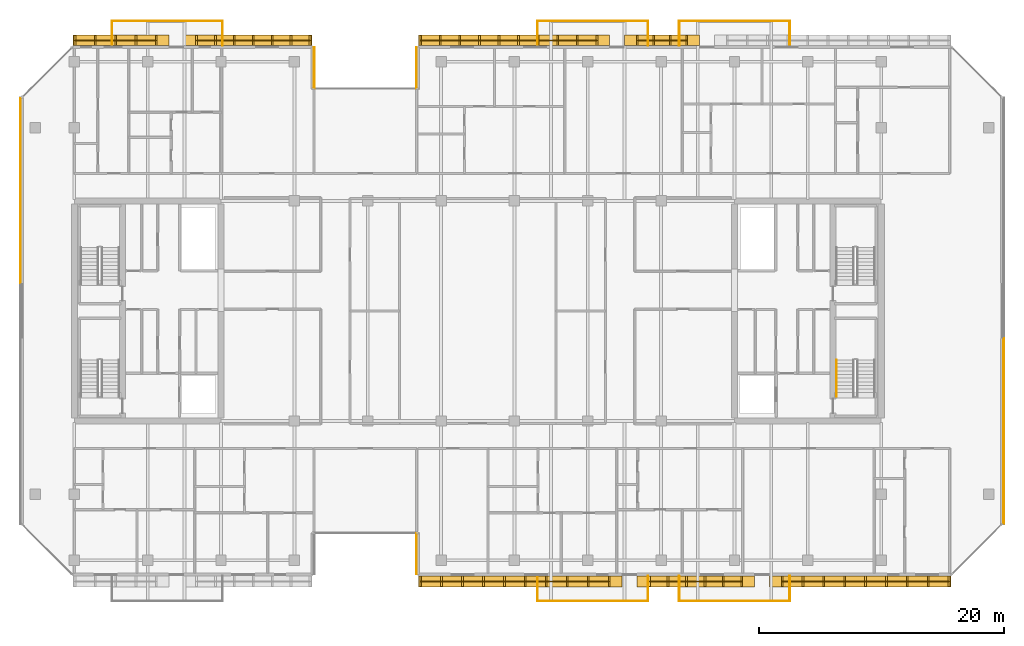
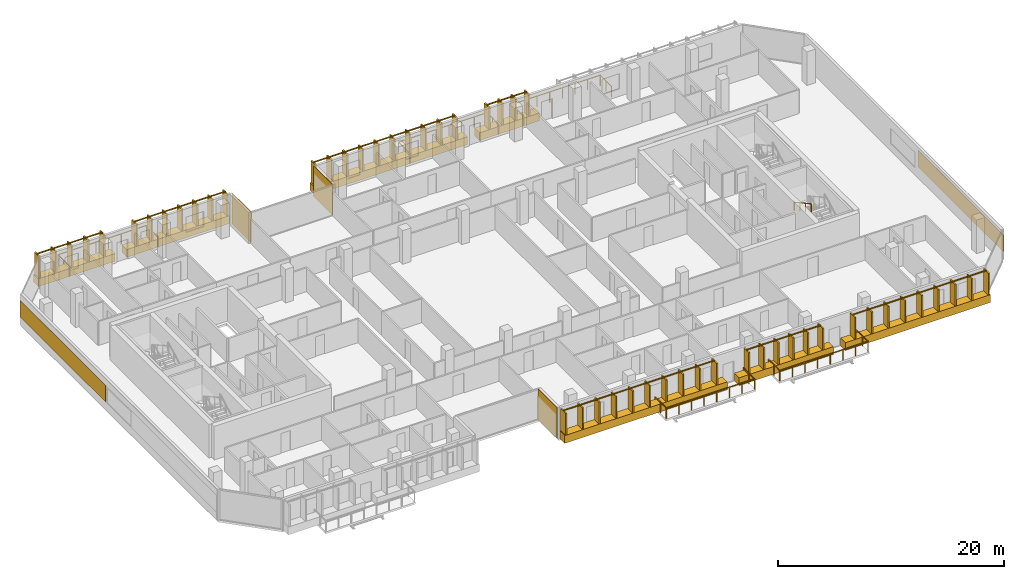
# One storey, part 29 of 31: 13 railings, 12 coverings.
"""IFC4 building model written with IfcOpenShell, lengths in metres."""

import ifcopenshell
import ifcopenshell.guid

model = None  # the IFC model being written
_history = None  # IfcOwnerHistory: only IFC2X3 demands one
_inside = {}  # id of a spatial element -> (the spatial element, [elements in it])
_under = {}  # id of a project, library or spatial element -> (it, [spatial elements below it])
_declared = {}  # id of a project -> (the project, [libraries it declares])
_typed = {}  # id of a type object -> (the type object, [elements of that type])
_made_of = {}  # id of a material, layer set ... -> (it, [elements and type objects made of it])


def new_model(schema):
    """Start an empty IFC model of exactly this schema.

    Asked for "IFC4X3", IfcOpenShell would pick the latest addendum, in which some entities
    have other attributes; the version numbers below select the first issue.
    IFC2X3 requires an IfcOwnerHistory on every rooted entity: one is made here for all.
    """
    global model, _history
    if schema == "IFC4X3":
        model = ifcopenshell.file(schema_version=(4, 3, 0, 0))
    else:
        model = ifcopenshell.file(schema=schema)
    _inside.clear()
    _under.clear()
    _declared.clear()
    _typed.clear()
    _made_of.clear()
    _history = None
    if model.schema == "IFC2X3":
        org = make("IfcOrganization", Name="unknown")
        user = make(
            "IfcPersonAndOrganization",
            ThePerson=make("IfcPerson", FamilyName="unknown"),
            TheOrganization=org,
        )
        app = make(
            "IfcApplication",
            ApplicationDeveloper=org,
            Version="unknown",
            ApplicationFullName="unknown",
            ApplicationIdentifier="unknown",
        )
        _history = make(
            "IfcOwnerHistory",
            OwningUser=user,
            OwningApplication=app,
            ChangeAction="ADDED",
            CreationDate=0,
        )
    return model


def make(cls, **values):
    """One entity of the class cls with the attributes given. An attribute that is None is left unset."""
    return model.create_entity(
        cls, **{name: value for name, value in values.items() if value is not None}
    )


def rooted(cls, **values):
    """An entity with a GlobalId (a new one), such as an element, a storey or a relation."""
    return make(cls, GlobalId=ifcopenshell.guid.new(), OwnerHistory=_history, **values)


def si_unit(unit_type, name, prefix=None):
    """IfcSIUnit, for example si_unit("LENGTHUNIT", "METRE", prefix="MILLI")."""
    return make("IfcSIUnit", UnitType=unit_type, Prefix=prefix, Name=name)


def assignment(units):
    """IfcUnitAssignment: the units of a project."""
    return None if units is None else make("IfcUnitAssignment", Units=units)


def point(xyz):
    """IfcCartesianPoint."""
    return None if xyz is None else make("IfcCartesianPoint", Coordinates=xyz)


def direction(xyz):
    """IfcDirection."""
    return None if xyz is None else make("IfcDirection", DirectionRatios=xyz)


def frame(location, z_axis=None, x_axis=None):
    """IfcAxis2Placement3D, a coordinate frame: its origin and axes. An axis left out is left unset."""
    return make(
        "IfcAxis2Placement3D",
        Location=point(location),
        Axis=direction(z_axis),
        RefDirection=direction(x_axis),
    )


def frame_2d(location, x_axis=None):
    """IfcAxis2Placement2D, a coordinate frame in the plane: its origin and x axis."""
    return make(
        "IfcAxis2Placement2D", Location=point(location), RefDirection=direction(x_axis)
    )


def origin():
    """The frame at (0, 0, 0) with its axes left unset."""
    return frame((0.0, 0.0, 0.0))


def origin_2d():
    """The frame at (0, 0) in the plane with its x axis left unset."""
    return frame_2d((0.0, 0.0))


def place(relative_to, where):
    """IfcLocalPlacement: puts the frame where relative to a parent placement (None: the world)."""
    return make(
        "IfcLocalPlacement", PlacementRelTo=relative_to, RelativePlacement=where
    )


def context(
    kind, dimensions, precision=None, world=None, true_north=None, identifier=None
):
    """IfcGeometricRepresentationContext, for example the 3D "Model" context."""
    return make(
        "IfcGeometricRepresentationContext",
        ContextIdentifier=identifier,
        ContextType=kind,
        CoordinateSpaceDimension=dimensions,
        Precision=precision,
        WorldCoordinateSystem=world,
        TrueNorth=true_north,
    )


def subcontext(parent, identifier, kind, view, scale=None):
    """IfcGeometricRepresentationSubContext, for example "Body" below "Model"."""
    return make(
        "IfcGeometricRepresentationSubContext",
        ContextIdentifier=identifier,
        ContextType=kind,
        ParentContext=parent,
        TargetScale=scale,
        TargetView=view,
    )


def project(units=None, contexts=None):
    """IfcProject with its units and contexts."""
    return rooted(
        "IfcProject",
        Name="project",
        RepresentationContexts=contexts,
        UnitsInContext=assignment(units),
    )


def spatial(cls, under=None, at=None, **own):
    """A site, building, storey or space (cls), placed at a placement, below another one or the project."""
    s = rooted(cls, ObjectPlacement=at, **own)
    if under is not None:
        _under.setdefault(under.id(), (under, []))[1].append(s)
    return s


def profile(cls, at=None, kind="AREA", **sizes):
    """A parametric profile (cls). Its sizes go by their IFC names, for example OverallWidth=200.0."""
    return make(cls, ProfileType=kind, Position=at, **sizes)


def rectangle(**sizes):
    """IfcRectangleProfileDef."""
    return profile("IfcRectangleProfileDef", **sizes)


def extrude(swept, where, along, depth):
    """IfcExtrudedAreaSolid: the profile swept, set in the frame where, extruded along a direction by depth."""
    return make(
        "IfcExtrudedAreaSolid",
        SweptArea=swept,
        Position=where,
        ExtrudedDirection=direction(along),
        Depth=depth,
    )


def shape(context_of_items, identifier, shape_type, items):
    """IfcShapeRepresentation: the items that make up one representation, for example the "Body"."""
    return make(
        "IfcShapeRepresentation",
        ContextOfItems=context_of_items,
        RepresentationIdentifier=identifier,
        RepresentationType=shape_type,
        Items=items,
    )


def material(Name=None, Category=None):
    """IfcMaterial."""
    return make("IfcMaterial", Name=Name, Category=Category)


def layer(
    of_material, thickness, ventilated=None, Name=None, Category=None, Priority=None
):
    """IfcMaterialLayer: one layer of a wall or slab, of a material (None: an air gap)."""
    return make(
        "IfcMaterialLayer",
        Material=of_material,
        LayerThickness=thickness,
        IsVentilated=ventilated,
        Name=Name,
        Category=Category,
        Priority=Priority,
    )


def layer_set(layers, Name=None):
    """IfcMaterialLayerSet."""
    return make("IfcMaterialLayerSet", MaterialLayers=layers, LayerSetName=Name)


def made_of(thing, what):
    """Note that an element or type object is made of a material, layer set ...; save() writes the relation."""
    if what is not None:
        _made_of.setdefault(what.id(), (what, []))[1].append(thing)
    return thing


def type_object(cls, material=None, **own):
    """A type object (cls), such as IfcWallType, which elements share."""
    return made_of(rooted(cls, **own), material)


def element(
    cls,
    number,
    at=None,
    inside=None,
    cuts=None,
    type_object=None,
    material=None,
    context=None,
    identifier="Body",
    shape_type=None,
    held_by="IfcProductDefinitionShape",
    body=None,
    shapes=None,
    **own,
):
    """One element of the class cls, such as IfcWall. Its Tag is "e" and its number.

    at: its placement. inside: the storey or other place that contains it. cuts: it is an
    opening in that element (IfcRelVoidsElement). A single representation is given by context,
    identifier, shape_type and body (its items); several are given by shapes. held_by: the class
    of the entity that holds the representations. save() writes the other relations.
    """
    e = rooted(cls, Tag="e%d" % number, ObjectPlacement=at, **own)
    if body is not None:
        shapes = [shape(context, identifier, shape_type, body)]
    if shapes is not None:
        e.Representation = make(held_by, Representations=shapes)
    if inside is not None:
        _inside.setdefault(inside.id(), (inside, []))[1].append(e)
    if cuts is not None:
        rooted(
            "IfcRelVoidsElement", RelatingBuildingElement=cuts, RelatedOpeningElement=e
        )
    if type_object is not None:
        _typed.setdefault(type_object.id(), (type_object, []))[1].append(e)
    return made_of(e, material)


def aggregate(whole, parts):
    """IfcRelAggregates: a whole, such as a stair, and the parts it consists of."""
    return rooted("IfcRelAggregates", RelatingObject=whole, RelatedObjects=parts)


def save(model, path):
    """Write the relations noted so far, then the file.

    IfcRelAggregates (storeys below a building ...), IfcRelContainedInSpatialStructure (elements
    in a storey), IfcRelDefinesByType, IfcRelAssociatesMaterial and IfcRelDeclares: one each for
    every whole, place, type object, material and project.
    """
    for whole, parts in _under.values():
        aggregate(whole, parts)
    for where, things in _inside.values():
        rooted(
            "IfcRelContainedInSpatialStructure",
            RelatedElements=things,
            RelatingStructure=where,
        )
    for kind, things in _typed.values():
        rooted("IfcRelDefinesByType", RelatedObjects=things, RelatingType=kind)
    for what, things in _made_of.values():
        rooted("IfcRelAssociatesMaterial", RelatedObjects=things, RelatingMaterial=what)
    for by, libraries in _declared.values():
        rooted("IfcRelDeclares", RelatingContext=by, RelatedDefinitions=libraries)
    model.write(path)


model = new_model("IFC4")

# Units and contexts
model_context = context("Model", 3, precision=1e-05, world=origin(), true_north=direction((0.0, 1.0)))
body_context = subcontext(model_context, "Body", "Model", "MODEL_VIEW")
ifc_project = project(units=[si_unit("LENGTHUNIT", "METRE"), si_unit("AREAUNIT", "SQUARE_METRE"), si_unit("VOLUMEUNIT", "CUBIC_METRE"), si_unit("PLANEANGLEUNIT", "RADIAN"), si_unit("MASSUNIT", "GRAM", prefix="KILO")], contexts=[model_context])

# Site, building, storey
site_placement = place(None, origin())
site = spatial("IfcSite", under=ifc_project, at=site_placement, CompositionType="ELEMENT")
building_placement = place(site_placement, origin())
building = spatial("IfcBuilding", under=site, at=building_placement, Name="Tanjung Sevakor Pilgrim Tower", CompositionType="ELEMENT")
storey_placement = place(building_placement, frame((0.0, 0.0, 169.2900390625)))
storey = spatial("IfcBuildingStorey", under=building, at=storey_placement, Name="L47", CompositionType="ELEMENT", Elevation=169.2900390625)

# Coverings
ifc_material_1 = material(Name="Reconstructed Limestone Cladding", Category="masonry")
ifc_layer = layer(ifc_material_1, 0.044921875)
ifc_layer_set = layer_set([ifc_layer], Name="COV-CLAD-LIMESTONE")
covering_type = type_object("IfcCoveringType", Name="COV-CLAD-LIMESTONE", PredefinedType="CLADDING", material=ifc_layer_set)
covering_1_placement = place(storey_placement, frame((51.9775390625, 13.72509765625, 0.02001953125), z_axis=(0.0, 0.0, 1.0), x_axis=(0.0, -1.0, 0.0)))
element("IfcCovering", 1, at=covering_1_placement, inside=storey, type_object=covering_type, Name="L47 Warm Limestone Wall Cladding EW-L47-MAIN-4", PredefinedType="CLADDING", context=body_context, shape_type="SweptSolid", body=[
    extrude(rectangle(XDim=3.360107421875, YDim=0.044921875, at=origin_2d()), origin(), (0.0, 0.0, 1.0), 3.31005859375),
])
covering_2_placement = place(storey_placement, frame((60.4775390625, 11.469970703125, 0.009765625), z_axis=(0.0, 0.0, 1.0), x_axis=(1.0, 0.0, 0.0)))
element("IfcCovering", 2, at=covering_2_placement, inside=storey, type_object=covering_type, Name="L47 Warm Limestone Sill Spandrel EW-L47-MAIN-5-1", PredefinedType="CLADDING", context=body_context, shape_type="SweptSolid", body=[
    extrude(rectangle(XDim=16.625, YDim=0.860107421875, at=origin_2d()), origin(), (0.0, 0.0, 1.0), 0.840087890625),
])
covering_3_placement = place(storey_placement, frame((74.824951171875, 11.469970703125, 0.009765625), z_axis=(0.0, 0.0, 1.0), x_axis=(1.0, 0.0, 0.0)))
element("IfcCovering", 3, at=covering_3_placement, inside=storey, type_object=covering_type, Name="L47 Warm Limestone Sill Spandrel EW-L47-MAIN-5-2", PredefinedType="CLADDING", context=body_context, shape_type="SweptSolid", body=[
    extrude(rectangle(XDim=9.6298828125, YDim=0.860107421875, at=origin_2d()), origin(), (0.0, 0.0, 1.0), 0.840087890625),
])
covering_4_placement = place(storey_placement, frame((88.2841796875, 11.469970703125, 0.009765625), z_axis=(0.0, 0.0, 1.0), x_axis=(1.0, 0.0, 0.0)))
element("IfcCovering", 4, at=covering_4_placement, inside=storey, type_object=covering_type, Name="L47 Warm Limestone Sill Spandrel EW-L47-MAIN-5-3", PredefinedType="CLADDING", context=body_context, shape_type="SweptSolid", body=[
    extrude(rectangle(XDim=14.84814453125, YDim=0.860107421875, at=origin_2d()), origin(), (0.0, 0.0, 1.0), 0.840087890625),
])
covering_5_placement = place(storey_placement, frame((100.0224609375, 23.77099609375, 0.849853515625), z_axis=(0.0, 0.0, 1.0), x_axis=(0.0, 1.0, 0.0)))
element("IfcCovering", 5, at=covering_5_placement, inside=storey, type_object=covering_type, Name="L47 Warm Limestone Pier Panel EW-L47-MAIN-7-1", PredefinedType="CLADDING", context=body_context, shape_type="SweptSolid", body=[
    extrude(rectangle(XDim=15.158203125, YDim=0.044921875, at=origin_2d()), origin(), (0.0, 0.0, 1.0), 1.81005859375),
])
covering_6_placement = place(storey_placement, frame((72.074951171875, 55.72998046875, 0.009765625), z_axis=(0.0, 0.0, 1.0), x_axis=(-1.0, 0.0, 0.0)))
element("IfcCovering", 6, at=covering_6_placement, inside=storey, type_object=covering_type, Name="L47 Warm Limestone Sill Spandrel EW-L47-MAIN-9-2", PredefinedType="CLADDING", context=body_context, shape_type="SweptSolid", body=[
    extrude(rectangle(XDim=6.1298828125, YDim=0.860107421875, at=origin_2d()), origin(), (0.0, 0.0, 1.0), 0.840087890625),
])
covering_7_placement = place(storey_placement, frame((59.9775390625, 55.72998046875, 0.009765625), z_axis=(0.0, 0.0, 1.0), x_axis=(-1.0, 0.0, 0.0)))
element("IfcCovering", 7, at=covering_7_placement, inside=storey, type_object=covering_type, Name="L47 Warm Limestone Sill Spandrel EW-L47-MAIN-9-3", PredefinedType="CLADDING", context=body_context, shape_type="SweptSolid", body=[
    extrude(rectangle(XDim=15.625, YDim=0.860107421875, at=origin_2d()), origin(), (0.0, 0.0, 1.0), 0.840087890625),
])
for number, where, z_axis, x_axis, name in (
    (8, (51.9775390625, 53.47509765625, 0.02001953125), (0.0, 0.0, 1.0), (0.0, -1.0, 0.0), "L47 Warm Limestone Wall Cladding EW-L47-MAIN-10"),
    (9, (43.62255859375, 53.47509765625, 0.02001953125), (0.0, 0.0, 1.0), (0.0, 1.0, 0.0), "L47 Warm Limestone Wall Cladding EW-L47-MAIN-12"),
):
    element("IfcCovering", number, at=place(storey_placement, frame(where, z_axis=z_axis, x_axis=x_axis)), inside=storey, type_object=covering_type, Name=name, PredefinedType="CLADDING", context=body_context, shape_type="SweptSolid", body=[
        extrude(rectangle(XDim=3.360107421875, YDim=0.044921875, at=origin_2d()), origin(), (0.0, 0.0, 1.0), 3.31005859375),
    ])
covering_8_placement = place(storey_placement, frame((38.197509765625, 55.72998046875, 0.009765625), z_axis=(0.0, 0.0, 1.0), x_axis=(-1.0, 0.0, 0.0)))
element("IfcCovering", 10, at=covering_8_placement, inside=storey, type_object=covering_type, Name="L47 Warm Limestone Sill Spandrel EW-L47-MAIN-13-1", PredefinedType="CLADDING", context=body_context, shape_type="SweptSolid", body=[
    extrude(rectangle(XDim=10.47509765625, YDim=0.860107421875, at=origin_2d()), origin(), (0.0, 0.0, 1.0), 0.840087890625),
])
covering_9_placement = place(storey_placement, frame((27.81591796875, 55.72998046875, 0.009765625), z_axis=(0.0, 0.0, 1.0), x_axis=(-1.0, 0.0, 0.0)))
element("IfcCovering", 11, at=covering_9_placement, inside=storey, type_object=covering_type, Name="L47 Warm Limestone Sill Spandrel EW-L47-MAIN-13-2", PredefinedType="CLADDING", context=body_context, shape_type="SweptSolid", body=[
    extrude(rectangle(XDim=7.84814453125, YDim=0.860107421875, at=origin_2d()), origin(), (0.0, 0.0, 1.0), 0.840087890625),
])
covering_10_placement = place(storey_placement, frame((19.577392578125, 43.42919921875, 0.849853515625), z_axis=(0.0, 0.0, 1.0), x_axis=(0.0, -1.0, 0.0)))
element("IfcCovering", 12, at=covering_10_placement, inside=storey, type_object=covering_type, Name="L47 Warm Limestone Pier Panel EW-L47-MAIN-15-1", PredefinedType="CLADDING", context=body_context, shape_type="SweptSolid", body=[
    extrude(rectangle(XDim=15.158203125, YDim=0.044921875, at=origin_2d()), origin(), (0.0, 0.0, 1.0), 1.81005859375),
])

# Railings
ifc_material_2 = material(Name="Laminated Glass and Aluminium", Category="aluminium")
railing_type_1 = type_object("IfcRailingType", Name="RL-BAL-BALUST", PredefinedType="BALUSTRADE", material=ifc_material_2)
railing_1_placement = place(storey_placement, frame((27.080078125, 55.300048828125, 0.0)))
element("IfcRailing", 13, at=railing_1_placement, inside=storey, type_object=railing_type_1, Name="L47 Loggia Balustrade MAIN-N1", PredefinedType="BALUSTRADE", context=body_context, shape_type="SweptSolid", body=[
    extrude(rectangle(XDim=0.0479, YDim=0.0479), frame((0.0, 0.0, 1.1259765625), z_axis=(0.0, 1.0, 0.0), x_axis=(-1.0, 0.0, 0.0)), (0.0, 0.0, 1.0), 2.02001953125),
    extrude(rectangle(XDim=0.0479, YDim=0.0479), frame((0.0, 2.02001953125, 1.1259765625), z_axis=(1.0, 0.0, 0.0), x_axis=(0.0, 1.0, 0.0)), (0.0, 0.0, 1.0), 9.0400390625),
    extrude(rectangle(XDim=0.0479, YDim=0.0479), frame((9.0400390625, 2.02001953125, 1.1259765625), z_axis=(0.0, -1.0, 0.0), x_axis=(1.0, 0.0, 0.0)), (0.0, 0.0, 1.0), 2.02001953125),
    extrude(rectangle(XDim=0.042, YDim=0.042), origin(), (0.0, 0.0, 1.0), 1.101806640625),
    extrude(rectangle(XDim=0.042, YDim=0.042), frame((0.0, 1.010009765625, 0.0)), (0.0, 0.0, 1.0), 1.101806640625),
    extrude(rectangle(XDim=0.042, YDim=0.042), frame((0.0, 2.02001953125, 0.0)), (0.0, 0.0, 1.0), 1.101806640625),
    extrude(rectangle(XDim=0.042, YDim=0.042), frame((1.29150390625, 2.02001953125, 0.0)), (0.0, 0.0, 1.0), 1.101806640625),
    extrude(rectangle(XDim=0.042, YDim=0.042), frame((2.582763671875, 2.02001953125, 0.0)), (0.0, 0.0, 1.0), 1.101806640625),
    extrude(rectangle(XDim=0.042, YDim=0.042), frame((3.874267578125, 2.02001953125, 0.0)), (0.0, 0.0, 1.0), 1.101806640625),
    extrude(rectangle(XDim=0.042, YDim=0.042), frame((5.165771484375, 2.02001953125, 0.0)), (0.0, 0.0, 1.0), 1.101806640625),
    extrude(rectangle(XDim=0.042, YDim=0.042), frame((6.457275390625, 2.02001953125, 0.0)), (0.0, 0.0, 1.0), 1.101806640625),
    extrude(rectangle(XDim=0.042, YDim=0.042), frame((7.74853515625, 2.02001953125, 0.0)), (0.0, 0.0, 1.0), 1.101806640625),
    extrude(rectangle(XDim=0.042, YDim=0.042), frame((9.0400390625, 2.02001953125, 0.0)), (0.0, 0.0, 1.0), 1.101806640625),
    extrude(rectangle(XDim=0.042, YDim=0.042), frame((9.0400390625, 1.010009765625, 0.0)), (0.0, 0.0, 1.0), 1.101806640625),
    extrude(rectangle(XDim=0.042, YDim=0.042), frame((9.0400390625, 0.0, 0.0)), (0.0, 0.0, 1.0), 1.101806640625),
])
railing_2_placement = place(storey_placement, frame((61.8798828125, 11.89990234375, 0.0)))
element("IfcRailing", 14, at=railing_2_placement, inside=storey, type_object=railing_type_1, Name="L47 Loggia Balustrade MAIN-S2", PredefinedType="BALUSTRADE", context=body_context, shape_type="SweptSolid", body=[
    extrude(rectangle(XDim=0.0479, YDim=0.0479), frame((0.0, 0.0, 1.1259765625), z_axis=(0.0, -1.0, 0.0), x_axis=(1.0, 0.0, 0.0)), (0.0, 0.0, 1.0), 2.02001953125),
    extrude(rectangle(XDim=0.0479, YDim=0.0479), frame((0.0, -2.02001953125, 1.1259765625), z_axis=(1.0, 0.0, 0.0), x_axis=(0.0, 1.0, 0.0)), (0.0, 0.0, 1.0), 9.0400390625),
    extrude(rectangle(XDim=0.0479, YDim=0.0479), frame((9.0400390625, -2.02001953125, 1.1259765625), z_axis=(0.0, 1.0, 0.0), x_axis=(-1.0, 0.0, 0.0)), (0.0, 0.0, 1.0), 2.02001953125),
    extrude(rectangle(XDim=0.042, YDim=0.042), origin(), (0.0, 0.0, 1.0), 1.101806640625),
    extrude(rectangle(XDim=0.042, YDim=0.042), frame((0.0, -1.010009765625, 0.0)), (0.0, 0.0, 1.0), 1.101806640625),
    extrude(rectangle(XDim=0.042, YDim=0.042), frame((0.0, -2.02001953125, 0.0)), (0.0, 0.0, 1.0), 1.101806640625),
    extrude(rectangle(XDim=0.042, YDim=0.042), frame((1.29150390625, -2.02001953125, 0.0)), (0.0, 0.0, 1.0), 1.101806640625),
    extrude(rectangle(XDim=0.042, YDim=0.042), frame((2.582763671875, -2.02001953125, 0.0)), (0.0, 0.0, 1.0), 1.101806640625),
    extrude(rectangle(XDim=0.042, YDim=0.042), frame((3.874267578125, -2.02001953125, 0.0)), (0.0, 0.0, 1.0), 1.101806640625),
    extrude(rectangle(XDim=0.042, YDim=0.042), frame((5.165771484375, -2.02001953125, 0.0)), (0.0, 0.0, 1.0), 1.101806640625),
    extrude(rectangle(XDim=0.042, YDim=0.042), frame((6.457275390625, -2.02001953125, 0.0)), (0.0, 0.0, 1.0), 1.101806640625),
    extrude(rectangle(XDim=0.042, YDim=0.042), frame((7.74853515625, -2.02001953125, 0.0)), (0.0, 0.0, 1.0), 1.101806640625),
    extrude(rectangle(XDim=0.042, YDim=0.042), frame((9.0400390625, -2.02001953125, 0.0)), (0.0, 0.0, 1.0), 1.101806640625),
    extrude(rectangle(XDim=0.042, YDim=0.042), frame((9.0400390625, -1.010009765625, 0.0)), (0.0, 0.0, 1.0), 1.101806640625),
    extrude(rectangle(XDim=0.042, YDim=0.042), frame((9.0400390625, 0.0, 0.0)), (0.0, 0.0, 1.0), 1.101806640625),
])
railing_3_placement = place(storey_placement, frame((61.8798828125, 55.300048828125, 0.0)))
element("IfcRailing", 15, at=railing_3_placement, inside=storey, type_object=railing_type_1, Name="L47 Loggia Balustrade MAIN-N2", PredefinedType="BALUSTRADE", context=body_context, shape_type="SweptSolid", body=[
    extrude(rectangle(XDim=0.0479, YDim=0.0479), frame((0.0, 0.0, 1.1259765625), z_axis=(0.0, 1.0, 0.0), x_axis=(-1.0, 0.0, 0.0)), (0.0, 0.0, 1.0), 2.02001953125),
    extrude(rectangle(XDim=0.0479, YDim=0.0479), frame((0.0, 2.02001953125, 1.1259765625), z_axis=(1.0, 0.0, 0.0), x_axis=(0.0, 1.0, 0.0)), (0.0, 0.0, 1.0), 9.0400390625),
    extrude(rectangle(XDim=0.0479, YDim=0.0479), frame((9.0400390625, 2.02001953125, 1.1259765625), z_axis=(0.0, -1.0, 0.0), x_axis=(1.0, 0.0, 0.0)), (0.0, 0.0, 1.0), 2.02001953125),
    extrude(rectangle(XDim=0.042, YDim=0.042), origin(), (0.0, 0.0, 1.0), 1.101806640625),
    extrude(rectangle(XDim=0.042, YDim=0.042), frame((0.0, 1.010009765625, 0.0)), (0.0, 0.0, 1.0), 1.101806640625),
    extrude(rectangle(XDim=0.042, YDim=0.042), frame((0.0, 2.02001953125, 0.0)), (0.0, 0.0, 1.0), 1.101806640625),
    extrude(rectangle(XDim=0.042, YDim=0.042), frame((1.29150390625, 2.02001953125, 0.0)), (0.0, 0.0, 1.0), 1.101806640625),
    extrude(rectangle(XDim=0.042, YDim=0.042), frame((2.582763671875, 2.02001953125, 0.0)), (0.0, 0.0, 1.0), 1.101806640625),
    extrude(rectangle(XDim=0.042, YDim=0.042), frame((3.874267578125, 2.02001953125, 0.0)), (0.0, 0.0, 1.0), 1.101806640625),
    extrude(rectangle(XDim=0.042, YDim=0.042), frame((5.165771484375, 2.02001953125, 0.0)), (0.0, 0.0, 1.0), 1.101806640625),
    extrude(rectangle(XDim=0.042, YDim=0.042), frame((6.457275390625, 2.02001953125, 0.0)), (0.0, 0.0, 1.0), 1.101806640625),
    extrude(rectangle(XDim=0.042, YDim=0.042), frame((7.74853515625, 2.02001953125, 0.0)), (0.0, 0.0, 1.0), 1.101806640625),
    extrude(rectangle(XDim=0.042, YDim=0.042), frame((9.0400390625, 2.02001953125, 0.0)), (0.0, 0.0, 1.0), 1.101806640625),
    extrude(rectangle(XDim=0.042, YDim=0.042), frame((9.0400390625, 1.010009765625, 0.0)), (0.0, 0.0, 1.0), 1.101806640625),
    extrude(rectangle(XDim=0.042, YDim=0.042), frame((9.0400390625, 0.0, 0.0)), (0.0, 0.0, 1.0), 1.101806640625),
])
railing_4_placement = place(storey_placement, frame((73.47998046875, 11.89990234375, 0.0)))
element("IfcRailing", 16, at=railing_4_placement, inside=storey, type_object=railing_type_1, Name="L47 Loggia Balustrade MAIN-S3", PredefinedType="BALUSTRADE", context=body_context, shape_type="SweptSolid", body=[
    extrude(rectangle(XDim=0.0479, YDim=0.0479), frame((0.0, 0.0, 1.1259765625), z_axis=(0.0, -1.0, 0.0), x_axis=(1.0, 0.0, 0.0)), (0.0, 0.0, 1.0), 2.02001953125),
    extrude(rectangle(XDim=0.0479, YDim=0.0479), frame((0.0, -2.02001953125, 1.1259765625), z_axis=(1.0, 0.0, 0.0), x_axis=(0.0, 1.0, 0.0)), (0.0, 0.0, 1.0), 9.0400390625),
    extrude(rectangle(XDim=0.0479, YDim=0.0479), frame((9.0400390625, -2.02001953125, 1.1259765625), z_axis=(0.0, 1.0, 0.0), x_axis=(-1.0, 0.0, 0.0)), (0.0, 0.0, 1.0), 2.02001953125),
    extrude(rectangle(XDim=0.042, YDim=0.042), origin(), (0.0, 0.0, 1.0), 1.101806640625),
    extrude(rectangle(XDim=0.042, YDim=0.042), frame((0.0, -1.010009765625, 0.0)), (0.0, 0.0, 1.0), 1.101806640625),
    extrude(rectangle(XDim=0.042, YDim=0.042), frame((0.0, -2.02001953125, 0.0)), (0.0, 0.0, 1.0), 1.101806640625),
    extrude(rectangle(XDim=0.042, YDim=0.042), frame((1.29150390625, -2.02001953125, 0.0)), (0.0, 0.0, 1.0), 1.101806640625),
    extrude(rectangle(XDim=0.042, YDim=0.042), frame((2.582763671875, -2.02001953125, 0.0)), (0.0, 0.0, 1.0), 1.101806640625),
    extrude(rectangle(XDim=0.042, YDim=0.042), frame((3.874267578125, -2.02001953125, 0.0)), (0.0, 0.0, 1.0), 1.101806640625),
    extrude(rectangle(XDim=0.042, YDim=0.042), frame((5.165771484375, -2.02001953125, 0.0)), (0.0, 0.0, 1.0), 1.101806640625),
    extrude(rectangle(XDim=0.042, YDim=0.042), frame((6.457275390625, -2.02001953125, 0.0)), (0.0, 0.0, 1.0), 1.101806640625),
    extrude(rectangle(XDim=0.042, YDim=0.042), frame((7.74853515625, -2.02001953125, 0.0)), (0.0, 0.0, 1.0), 1.101806640625),
    extrude(rectangle(XDim=0.042, YDim=0.042), frame((9.0400390625, -2.02001953125, 0.0)), (0.0, 0.0, 1.0), 1.101806640625),
    extrude(rectangle(XDim=0.042, YDim=0.042), frame((9.0400390625, -1.010009765625, 0.0)), (0.0, 0.0, 1.0), 1.101806640625),
    extrude(rectangle(XDim=0.042, YDim=0.042), frame((9.0400390625, 0.0, 0.0)), (0.0, 0.0, 1.0), 1.101806640625),
])
railing_5_placement = place(storey_placement, frame((73.47998046875, 55.300048828125, 0.0)))
element("IfcRailing", 17, at=railing_5_placement, inside=storey, type_object=railing_type_1, Name="L47 Loggia Balustrade MAIN-N3", PredefinedType="BALUSTRADE", context=body_context, shape_type="SweptSolid", body=[
    extrude(rectangle(XDim=0.0479, YDim=0.0479), frame((0.0, 0.0, 1.1259765625), z_axis=(0.0, 1.0, 0.0), x_axis=(-1.0, 0.0, 0.0)), (0.0, 0.0, 1.0), 2.02001953125),
    extrude(rectangle(XDim=0.0479, YDim=0.0479), frame((0.0, 2.02001953125, 1.1259765625), z_axis=(1.0, 0.0, 0.0), x_axis=(0.0, 1.0, 0.0)), (0.0, 0.0, 1.0), 9.0400390625),
    extrude(rectangle(XDim=0.0479, YDim=0.0479), frame((9.0400390625, 2.02001953125, 1.1259765625), z_axis=(0.0, -1.0, 0.0), x_axis=(1.0, 0.0, 0.0)), (0.0, 0.0, 1.0), 2.02001953125),
    extrude(rectangle(XDim=0.042, YDim=0.042), origin(), (0.0, 0.0, 1.0), 1.101806640625),
    extrude(rectangle(XDim=0.042, YDim=0.042), frame((0.0, 1.010009765625, 0.0)), (0.0, 0.0, 1.0), 1.101806640625),
    extrude(rectangle(XDim=0.042, YDim=0.042), frame((0.0, 2.02001953125, 0.0)), (0.0, 0.0, 1.0), 1.101806640625),
    extrude(rectangle(XDim=0.042, YDim=0.042), frame((1.29150390625, 2.02001953125, 0.0)), (0.0, 0.0, 1.0), 1.101806640625),
    extrude(rectangle(XDim=0.042, YDim=0.042), frame((2.582763671875, 2.02001953125, 0.0)), (0.0, 0.0, 1.0), 1.101806640625),
    extrude(rectangle(XDim=0.042, YDim=0.042), frame((3.874267578125, 2.02001953125, 0.0)), (0.0, 0.0, 1.0), 1.101806640625),
    extrude(rectangle(XDim=0.042, YDim=0.042), frame((5.165771484375, 2.02001953125, 0.0)), (0.0, 0.0, 1.0), 1.101806640625),
    extrude(rectangle(XDim=0.042, YDim=0.042), frame((6.457275390625, 2.02001953125, 0.0)), (0.0, 0.0, 1.0), 1.101806640625),
    extrude(rectangle(XDim=0.042, YDim=0.042), frame((7.74853515625, 2.02001953125, 0.0)), (0.0, 0.0, 1.0), 1.101806640625),
    extrude(rectangle(XDim=0.042, YDim=0.042), frame((9.0400390625, 2.02001953125, 0.0)), (0.0, 0.0, 1.0), 1.101806640625),
    extrude(rectangle(XDim=0.042, YDim=0.042), frame((9.0400390625, 1.010009765625, 0.0)), (0.0, 0.0, 1.0), 1.101806640625),
    extrude(rectangle(XDim=0.042, YDim=0.042), frame((9.0400390625, 0.0, 0.0)), (0.0, 0.0, 1.0), 1.101806640625),
])
ifc_material_3 = material(Name="Anodised Bronze Aluminium 6063-T6", Category="aluminium")
railing_type_2 = type_object("IfcRailingType", Name="RL-FIN-SCREEN", PredefinedType="BALUSTRADE", material=ifc_material_3)
railing_6_placement = place(storey_placement, frame((52.324951171875, 11.47509765625, 0.83984375)))
element("IfcRailing", 18, at=railing_6_placement, inside=storey, type_object=railing_type_2, Name="L47 Vertical Bronze-Gold Solar Fin Screen FNSCR-EW-L47-MAIN-5-1", PredefinedType="BALUSTRADE", context=body_context, shape_type="SweptSolid", body=[
    extrude(rectangle(XDim=0.105, YDim=0.105), frame((0.0, 0.0, 2.427490234375), z_axis=(1.0, 0.0, 0.0), x_axis=(0.0, 1.0, 0.0)), (0.0, 0.0, 1.0), 15.425048828125),
    extrude(rectangle(XDim=0.14, YDim=0.85), origin(), (0.0, 0.0, 1.0), 2.375),
    extrude(rectangle(XDim=0.14, YDim=0.85), frame((1.7138671875, 0.0, 0.0)), (0.0, 0.0, 1.0), 2.375),
    extrude(rectangle(XDim=0.14, YDim=0.85), frame((3.427734375, 0.0, 0.0)), (0.0, 0.0, 1.0), 2.375),
    extrude(rectangle(XDim=0.14, YDim=0.85), frame((5.1416015625, 0.0, 0.0)), (0.0, 0.0, 1.0), 2.375),
    extrude(rectangle(XDim=0.14, YDim=0.85), frame((6.85546875, 0.0, 0.0)), (0.0, 0.0, 1.0), 2.375),
    extrude(rectangle(XDim=0.14, YDim=0.85), frame((8.569580078125, 0.0, 0.0)), (0.0, 0.0, 1.0), 2.375),
    extrude(rectangle(XDim=0.14, YDim=0.85), frame((10.283447265625, 0.0, 0.0)), (0.0, 0.0, 1.0), 2.375),
    extrude(rectangle(XDim=0.14, YDim=0.85), frame((11.997314453125, 0.0, 0.0)), (0.0, 0.0, 1.0), 2.375),
    extrude(rectangle(XDim=0.14, YDim=0.85), frame((13.711181640625, 0.0, 0.0)), (0.0, 0.0, 1.0), 2.375),
    extrude(rectangle(XDim=0.14, YDim=0.85), frame((15.425048828125, 0.0, 0.0)), (0.0, 0.0, 1.0), 2.375),
])
railing_7_placement = place(storey_placement, frame((71.050048828125, 11.47509765625, 0.83984375)))
element("IfcRailing", 19, at=railing_7_placement, inside=storey, type_object=railing_type_2, Name="L47 Vertical Bronze-Gold Solar Fin Screen FNSCR-EW-L47-MAIN-5-2", PredefinedType="BALUSTRADE", context=body_context, shape_type="SweptSolid", body=[
    extrude(rectangle(XDim=0.105, YDim=0.105), frame((0.0, 0.0, 2.427490234375), z_axis=(1.0, 0.0, 0.0), x_axis=(0.0, 1.0, 0.0)), (0.0, 0.0, 1.0), 7.550048828125),
    extrude(rectangle(XDim=0.14, YDim=0.85), origin(), (0.0, 0.0, 1.0), 2.375),
    extrude(rectangle(XDim=0.14, YDim=0.85), frame((1.510009765625, 0.0, 0.0)), (0.0, 0.0, 1.0), 2.375),
    extrude(rectangle(XDim=0.14, YDim=0.85), frame((3.02001953125, 0.0, 0.0)), (0.0, 0.0, 1.0), 2.375),
    extrude(rectangle(XDim=0.14, YDim=0.85), frame((4.530029296875, 0.0, 0.0)), (0.0, 0.0, 1.0), 2.375),
    extrude(rectangle(XDim=0.14, YDim=0.85), frame((6.0400390625, 0.0, 0.0)), (0.0, 0.0, 1.0), 2.375),
    extrude(rectangle(XDim=0.14, YDim=0.85), frame((7.550048828125, 0.0, 0.0)), (0.0, 0.0, 1.0), 2.375),
])
railing_8_placement = place(storey_placement, frame((81.89990234375, 11.47509765625, 0.83984375)))
element("IfcRailing", 20, at=railing_8_placement, inside=storey, type_object=railing_type_2, Name="L47 Vertical Bronze-Gold Solar Fin Screen FNSCR-EW-L47-MAIN-5-3", PredefinedType="BALUSTRADE", context=body_context, shape_type="SweptSolid", body=[
    extrude(rectangle(XDim=0.105, YDim=0.105), frame((0.0, 0.0, 2.427490234375), z_axis=(1.0, 0.0, 0.0), x_axis=(0.0, 1.0, 0.0)), (0.0, 0.0, 1.0), 13.648193359375),
    extrude(rectangle(XDim=0.14, YDim=0.85), origin(), (0.0, 0.0, 1.0), 2.375),
    extrude(rectangle(XDim=0.14, YDim=0.85), frame((1.7060546875, 0.0, 0.0)), (0.0, 0.0, 1.0), 2.375),
    extrude(rectangle(XDim=0.14, YDim=0.85), frame((3.412109375, 0.0, 0.0)), (0.0, 0.0, 1.0), 2.375),
    extrude(rectangle(XDim=0.14, YDim=0.85), frame((5.1181640625, 0.0, 0.0)), (0.0, 0.0, 1.0), 2.375),
    extrude(rectangle(XDim=0.14, YDim=0.85), frame((6.82421875, 0.0, 0.0)), (0.0, 0.0, 1.0), 2.375),
    extrude(rectangle(XDim=0.14, YDim=0.85), frame((8.530029296875, 0.0, 0.0)), (0.0, 0.0, 1.0), 2.375),
    extrude(rectangle(XDim=0.14, YDim=0.85), frame((10.236083984375, 0.0, 0.0)), (0.0, 0.0, 1.0), 2.375),
    extrude(rectangle(XDim=0.14, YDim=0.85), frame((11.942138671875, 0.0, 0.0)), (0.0, 0.0, 1.0), 2.375),
    extrude(rectangle(XDim=0.14, YDim=0.85), frame((13.648193359375, 0.0, 0.0)), (0.0, 0.0, 1.0), 2.375),
])
railing_9_placement = place(storey_placement, frame((74.10009765625, 55.72509765625, 0.83984375)))
element("IfcRailing", 21, at=railing_9_placement, inside=storey, type_object=railing_type_2, Name="L47 Vertical Bronze-Gold Solar Fin Screen FNSCR-EW-L47-MAIN-9-2", PredefinedType="BALUSTRADE", context=body_context, shape_type="SweptSolid", body=[
    extrude(rectangle(XDim=0.105, YDim=0.105), frame((0.0, 0.0, 2.427490234375), z_axis=(-1.0, 0.0, 0.0), x_axis=(0.0, -1.0, 0.0)), (0.0, 0.0, 1.0), 4.050048828125),
    extrude(rectangle(XDim=0.14, YDim=0.85), origin(), (0.0, 0.0, 1.0), 2.375),
    extrude(rectangle(XDim=0.14, YDim=0.85), frame((-1.35009765625, 0.0, 0.0)), (0.0, 0.0, 1.0), 2.375),
    extrude(rectangle(XDim=0.14, YDim=0.85), frame((-2.699951171875, 0.0, 0.0)), (0.0, 0.0, 1.0), 2.375),
    extrude(rectangle(XDim=0.14, YDim=0.85), frame((-4.050048828125, 0.0, 0.0)), (0.0, 0.0, 1.0), 2.375),
])
railing_10_placement = place(storey_placement, frame((66.75, 55.72509765625, 0.83984375)))
element("IfcRailing", 22, at=railing_10_placement, inside=storey, type_object=railing_type_2, Name="L47 Vertical Bronze-Gold Solar Fin Screen FNSCR-EW-L47-MAIN-9-3", PredefinedType="BALUSTRADE", context=body_context, shape_type="SweptSolid", body=[
    extrude(rectangle(XDim=0.105, YDim=0.105), frame((0.0, 0.0, 2.427490234375), z_axis=(-1.0, 0.0, 0.0), x_axis=(0.0, -1.0, 0.0)), (0.0, 0.0, 1.0), 14.425048828125),
    extrude(rectangle(XDim=0.14, YDim=0.85), origin(), (0.0, 0.0, 1.0), 2.375),
    extrude(rectangle(XDim=0.14, YDim=0.85), frame((-1.602783203125, 0.0, 0.0)), (0.0, 0.0, 1.0), 2.375),
    extrude(rectangle(XDim=0.14, YDim=0.85), frame((-3.20556640625, 0.0, 0.0)), (0.0, 0.0, 1.0), 2.375),
    extrude(rectangle(XDim=0.14, YDim=0.85), frame((-4.808349609375, 0.0, 0.0)), (0.0, 0.0, 1.0), 2.375),
    extrude(rectangle(XDim=0.14, YDim=0.85), frame((-6.4111328125, 0.0, 0.0)), (0.0, 0.0, 1.0), 2.375),
    extrude(rectangle(XDim=0.14, YDim=0.85), frame((-8.013916015625, 0.0, 0.0)), (0.0, 0.0, 1.0), 2.375),
    extrude(rectangle(XDim=0.14, YDim=0.85), frame((-9.61669921875, 0.0, 0.0)), (0.0, 0.0, 1.0), 2.375),
    extrude(rectangle(XDim=0.14, YDim=0.85), frame((-11.219482421875, 0.0, 0.0)), (0.0, 0.0, 1.0), 2.375),
    extrude(rectangle(XDim=0.14, YDim=0.85), frame((-12.822265625, 0.0, 0.0)), (0.0, 0.0, 1.0), 2.375),
    extrude(rectangle(XDim=0.14, YDim=0.85), frame((-14.425048828125, 0.0, 0.0)), (0.0, 0.0, 1.0), 2.375),
])
railing_11_placement = place(storey_placement, frame((43.27490234375, 55.72509765625, 0.83984375)))
element("IfcRailing", 23, at=railing_11_placement, inside=storey, type_object=railing_type_2, Name="L47 Vertical Bronze-Gold Solar Fin Screen FNSCR-EW-L47-MAIN-13-1", PredefinedType="BALUSTRADE", context=body_context, shape_type="SweptSolid", body=[
    extrude(rectangle(XDim=0.105, YDim=0.105), frame((0.0, 0.0, 2.427490234375), z_axis=(-1.0, 0.0, 0.0), x_axis=(0.0, -1.0, 0.0)), (0.0, 0.0, 1.0), 9.27490234375),
    extrude(rectangle(XDim=0.14, YDim=0.85), origin(), (0.0, 0.0, 1.0), 2.375),
    extrude(rectangle(XDim=0.14, YDim=0.85), frame((-1.5458984375, 0.0, 0.0)), (0.0, 0.0, 1.0), 2.375),
    extrude(rectangle(XDim=0.14, YDim=0.85), frame((-3.091552734375, 0.0, 0.0)), (0.0, 0.0, 1.0), 2.375),
    extrude(rectangle(XDim=0.14, YDim=0.85), frame((-4.637451171875, 0.0, 0.0)), (0.0, 0.0, 1.0), 2.375),
    extrude(rectangle(XDim=0.14, YDim=0.85), frame((-6.183349609375, 0.0, 0.0)), (0.0, 0.0, 1.0), 2.375),
    extrude(rectangle(XDim=0.14, YDim=0.85), frame((-7.72900390625, 0.0, 0.0)), (0.0, 0.0, 1.0), 2.375),
    extrude(rectangle(XDim=0.14, YDim=0.85), frame((-9.27490234375, 0.0, 0.0)), (0.0, 0.0, 1.0), 2.375),
])
railing_12_placement = place(storey_placement, frame((30.699951171875, 55.72509765625, 0.83984375)))
element("IfcRailing", 24, at=railing_12_placement, inside=storey, type_object=railing_type_2, Name="L47 Vertical Bronze-Gold Solar Fin Screen FNSCR-EW-L47-MAIN-13-2", PredefinedType="BALUSTRADE", context=body_context, shape_type="SweptSolid", body=[
    extrude(rectangle(XDim=0.105, YDim=0.105), frame((0.0, 0.0, 2.427490234375), z_axis=(-1.0, 0.0, 0.0), x_axis=(0.0, -1.0, 0.0)), (0.0, 0.0, 1.0), 6.648193359375),
    extrude(rectangle(XDim=0.14, YDim=0.85), origin(), (0.0, 0.0, 1.0), 2.375),
    extrude(rectangle(XDim=0.14, YDim=0.85), frame((-1.662109375, 0.0, 0.0)), (0.0, 0.0, 1.0), 2.375),
    extrude(rectangle(XDim=0.14, YDim=0.85), frame((-3.32421875, 0.0, 0.0)), (0.0, 0.0, 1.0), 2.375),
    extrude(rectangle(XDim=0.14, YDim=0.85), frame((-4.986083984375, 0.0, 0.0)), (0.0, 0.0, 1.0), 2.375),
    extrude(rectangle(XDim=0.14, YDim=0.85), frame((-6.648193359375, 0.0, 0.0)), (0.0, 0.0, 1.0), 2.375),
])
ifc_material_4 = material(Name="Steel S355J2", Category="steel")
railing_type_3 = type_object("IfcRailingType", Name="RL-STAIR-HAND", PredefinedType="HANDRAIL", material=ifc_material_4)
railing_13_placement = place(storey_placement, frame((86.35009765625, 29.60009765625, 1.97998046875)))
element("IfcRailing", 25, at=railing_13_placement, inside=storey, type_object=railing_type_3, Name="L47 TS-E1 stair handrail 2", PredefinedType="HANDRAIL", context=body_context, shape_type="SweptSolid", body=[
    extrude(rectangle(XDim=0.0479, YDim=0.0479), frame((0.0, 0.0, 0.8759765625), z_axis=(0.0, -0.876227952683, 0.48189685093), x_axis=(1.0, 0.0, 0.0)), (0.0, 0.0, 1.0), 3.423828125),
    extrude(rectangle(XDim=0.042, YDim=0.042), origin(), (0.0, 0.0, 1.0), 0.851806640625),
    extrude(rectangle(XDim=0.042, YDim=0.042), frame((0.0, -1.0, 0.550048828125)), (0.0, 0.0, 1.0), 0.851806640625),
    extrude(rectangle(XDim=0.042, YDim=0.042), frame((0.0, -2.0, 1.099853515625)), (0.0, 0.0, 1.0), 0.851806640625),
    extrude(rectangle(XDim=0.042, YDim=0.042), frame((0.0, -3.0, 1.64990234375)), (0.0, 0.0, 1.0), 0.851806640625),
])

save(model, "model.ifc")
